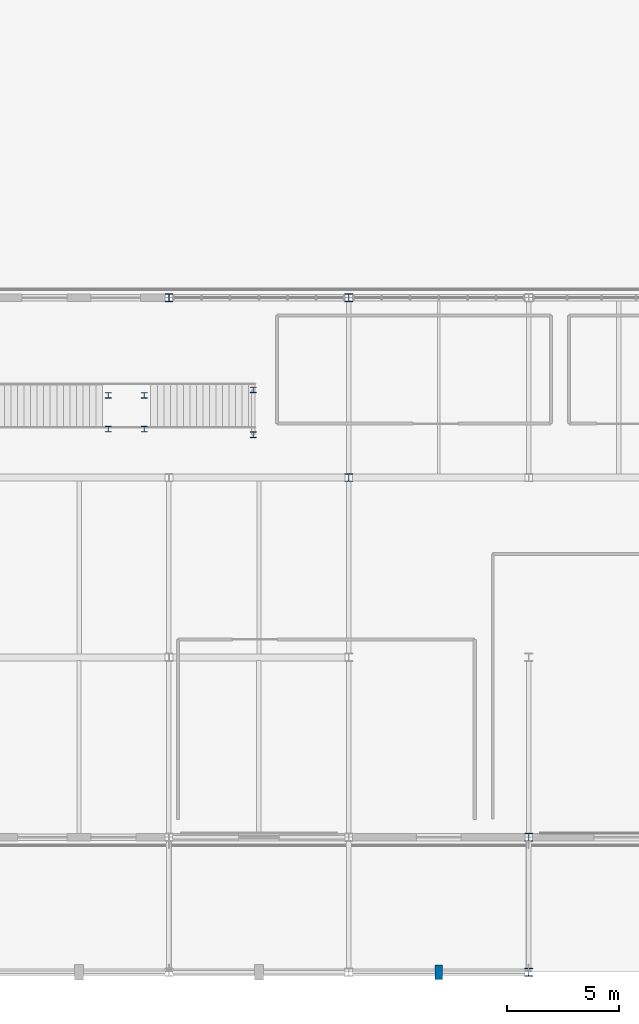
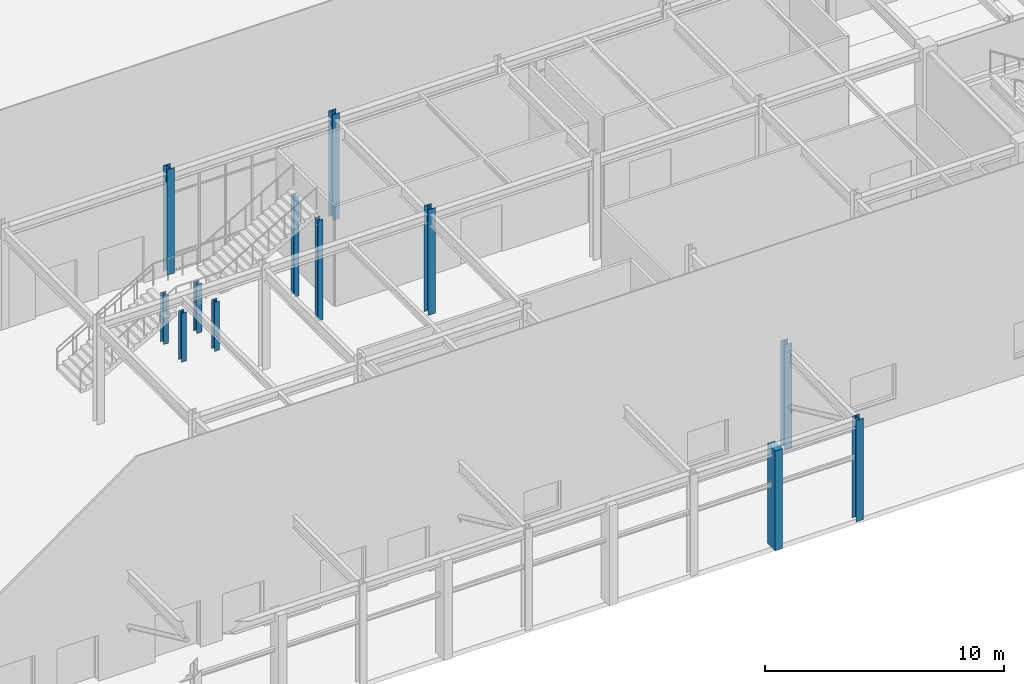
# One storey, part 6 of 119: 12 columns.
"""IFC4 building model written with IfcOpenShell, lengths in metres."""

from ifc_helpers import new_model, si_unit, direction, frame, origin, origin_2d, place, context, subcontext, project, spatial, rectangle, i_section, extrude, material, material_profile, profile_set, type_object, element, save


model = new_model("IFC4")

# Units and contexts
model_context = context("Model", 3, precision=1e-05, world=origin(), true_north=direction((0.0, 1.0)))
body_context = subcontext(model_context, "Body", "Model", "MODEL_VIEW")
ifc_project = project(units=[si_unit("LENGTHUNIT", "METRE"), si_unit("AREAUNIT", "SQUARE_METRE"), si_unit("VOLUMEUNIT", "CUBIC_METRE"), si_unit("PLANEANGLEUNIT", "RADIAN"), si_unit("MASSUNIT", "GRAM", prefix="KILO")], contexts=[model_context])

# Site, building, storey
site_placement = place(None, origin())
site = spatial("IfcSite", under=ifc_project, at=site_placement, CompositionType="ELEMENT")
building_placement = place(site_placement, origin())
building = spatial("IfcBuilding", under=site, at=building_placement, Name="Zhaolan Boulevard Law Courts", CompositionType="ELEMENT")
storey_placement = place(building_placement, origin())
storey = spatial("IfcBuildingStorey", under=building, at=storey_placement, Name="L00", CompositionType="ELEMENT", Elevation=0.0)

# Columns
ifc_material_1 = material(Name="Structural steel Q355B", Category="steel")
ifc_material_profile_1 = material_profile(ifc_material_1, i_section(OverallWidth=0.25, OverallDepth=0.25, WebThickness=0.009033203125, FlangeThickness=0.013916015625, FilletRadius=0.01611328125, at=origin_2d()), Name="HW250x250")
ifc_profile_set_1 = profile_set([ifc_material_profile_1], Name="Structural steel Q355B")
column_type_1 = type_object("IfcColumnType", Name="COL HW250", PredefinedType="COLUMN", material=ifc_profile_set_1)
for number, where, z_axis, x_axis, name in (
    (1, (81.300048828125, 24.14990234375, 0.0), (0.0, 0.0, 1.0), (1.0, 0.0, 0.0), "Grand Stair Landing Column CS6-1"),
    (2, (82.89990234375, 24.14990234375, 0.0), (0.0, 0.0, 1.0), (1.0, 0.0, 0.0), "Grand Stair Landing Column CS6-2"),
    (3, (81.300048828125, 25.64990234375, 0.0), (0.0, 0.0, 1.0), (1.0, 0.0, 0.0), "Grand Stair Landing Column CS6-3"),
    (4, (82.89990234375, 25.64990234375, 0.0), (0.0, 0.0, 1.0), (1.0, 0.0, 0.0), "Grand Stair Landing Column CS6-4"),
):
    element("IfcColumn", number, at=place(storey_placement, frame(where, z_axis=z_axis, x_axis=x_axis)), inside=storey, type_object=column_type_1, Name=name, PredefinedType="COLUMN", context=body_context, shape_type="SweptSolid", body=[
        extrude(i_section(OverallWidth=0.25, OverallDepth=0.25, WebThickness=0.009033203125, FlangeThickness=0.013916015625, FilletRadius=0.01611328125, at=origin_2d()), origin(), (0.0, 0.0, 1.0), 2.5),
    ])
for number, where, z_axis, x_axis, name in (
    (5, (87.75, 23.89990234375, 0.0), (0.0, 0.0, 1.0), (1.0, 0.0, 0.0), "Grand Stair Arrival Column CS6T-1"),
    (6, (87.75, 25.89990234375, 0.0), (0.0, 0.0, 1.0), (1.0, 0.0, 0.0), "Grand Stair Arrival Column CS6T-2"),
):
    element("IfcColumn", number, at=place(storey_placement, frame(where, z_axis=z_axis, x_axis=x_axis)), inside=storey, type_object=column_type_1, Name=name, PredefinedType="COLUMN", context=body_context, shape_type="SweptSolid", body=[
        extrude(i_section(OverallWidth=0.25, OverallDepth=0.25, WebThickness=0.009033203125, FlangeThickness=0.013916015625, FilletRadius=0.01611328125, at=origin_2d()), origin(), (0.0, 0.0, 1.0), 5.139892578125),
    ])
ifc_material_2 = material(Name="Structural steel Q355B", Category="steel")
ifc_material_profile_2 = material_profile(ifc_material_2, i_section(OverallWidth=0.35009765625, OverallDepth=0.35009765625, WebThickness=0.011962890625, FlangeThickness=0.01904296875, FilletRadius=0.02001953125, at=origin_2d()), Name="HW350x350")
ifc_profile_set_2 = profile_set([ifc_material_profile_2], Name="Structural steel Q355B")
column_type_2 = type_object("IfcColumnType", Name="COL HW350", PredefinedType="COLUMN", material=ifc_profile_set_2)
for number, where, z_axis, x_axis, name in (
    (7, (84.0, 30.0, 0.0), (0.0, 0.0, 1.0), (1.0, 0.0, 0.0), "Column C-11E (L00)"),
    (8, (92.0, 22.0, 0.0), (0.0, 0.0, 1.0), (1.0, 0.0, 0.0), "Column C-12D (L00)"),
    (9, (92.0, 30.0, 0.0), (0.0, 0.0, 1.0), (1.0, 0.0, 0.0), "Column C-12E (L00)"),
):
    element("IfcColumn", number, at=place(storey_placement, frame(where, z_axis=z_axis, x_axis=x_axis)), inside=storey, type_object=column_type_2, Name=name, PredefinedType="COLUMN", context=body_context, shape_type="SweptSolid", body=[
        extrude(i_section(OverallWidth=0.35009765625, OverallDepth=0.35009765625, WebThickness=0.011962890625, FlangeThickness=0.01904296875, FilletRadius=0.02001953125, at=origin_2d()), origin(), (0.0, 0.0, 1.0), 5.39990234375),
    ])
column_1_placement = place(storey_placement, frame((100.0, 0.0, 0.0), z_axis=(0.0, 0.0, 1.0), x_axis=(1.0, 0.0, 0.0)))
element("IfcColumn", 10, at=column_1_placement, inside=storey, type_object=column_type_2, Name="Column C-13A (L00)", PredefinedType="COLUMN", context=body_context, shape_type="SweptSolid", body=[
    extrude(i_section(OverallWidth=0.35009765625, OverallDepth=0.35009765625, WebThickness=0.011962890625, FlangeThickness=0.01904296875, FilletRadius=0.02001953125, at=origin_2d()), origin(), (0.0, 0.0, 1.0), 5.179931640625),
])
column_2_placement = place(storey_placement, frame((100.0, 6.0, 0.0), z_axis=(0.0, 0.0, 1.0), x_axis=(1.0, 0.0, 0.0)))
element("IfcColumn", 11, at=column_2_placement, inside=storey, type_object=column_type_2, Name="Column C-13B (L00)", PredefinedType="COLUMN", context=body_context, shape_type="SweptSolid", body=[
    extrude(i_section(OverallWidth=0.35009765625, OverallDepth=0.35009765625, WebThickness=0.011962890625, FlangeThickness=0.01904296875, FilletRadius=0.02001953125, at=origin_2d()), origin(), (0.0, 0.0, 1.0), 5.39990234375),
])
ifc_material_3 = material(Name="Concrete C40", Category="concrete")
ifc_material_profile_3 = material_profile(ifc_material_3, rectangle(XDim=0.35009765625, YDim=0.64990234375, at=origin_2d()), Name="RC350x650")
ifc_profile_set_3 = profile_set([ifc_material_profile_3], Name="Concrete C40")
column_type_3 = type_object("IfcColumnType", Name="PILASTER 350X650", PredefinedType="PILASTER", material=ifc_profile_set_3)
column_3_placement = place(storey_placement, frame((96.0, 0.0, 0.0), z_axis=(0.0, 0.0, 1.0), x_axis=(1.0, 0.0, 0.0)))
element("IfcColumn", 12, at=column_3_placement, inside=storey, type_object=column_type_3, Name="Facade Pilaster PIL-07 (L00)", PredefinedType="PILASTER", context=body_context, shape_type="SweptSolid", body=[
    extrude(rectangle(XDim=0.35009765625, YDim=0.64990234375, at=origin_2d()), origin(), (0.0, 0.0, 1.0), 5.10009765625),
])

save(model, "model.ifc")
